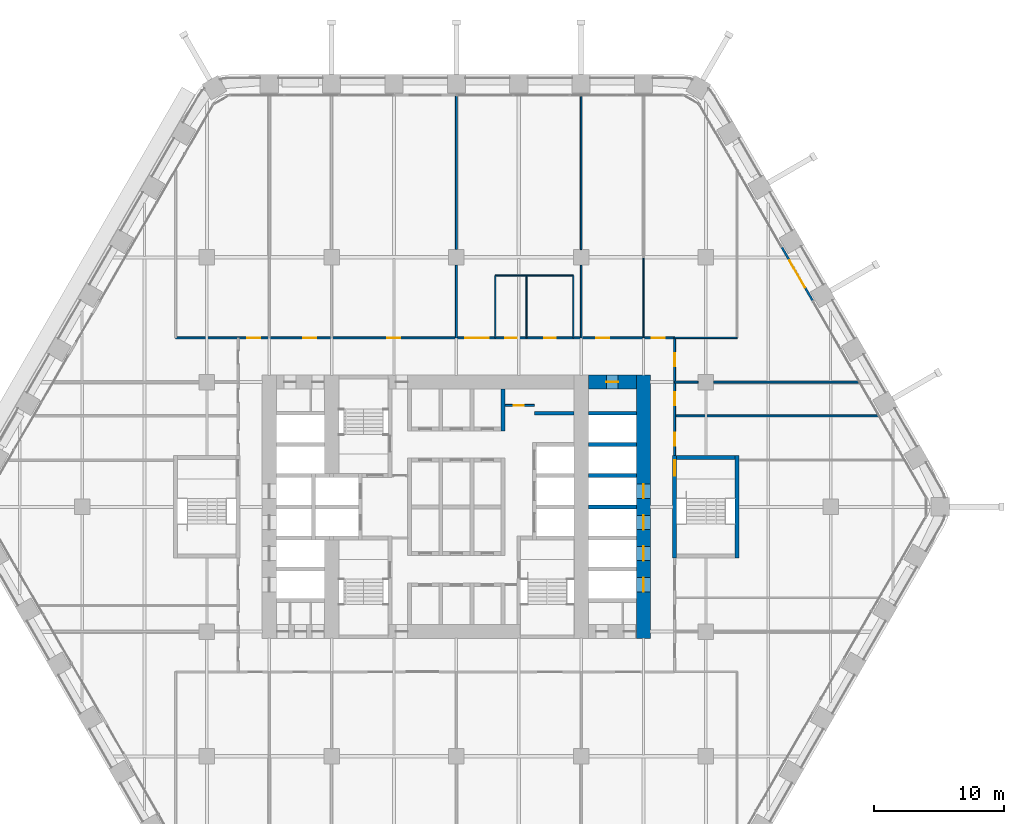
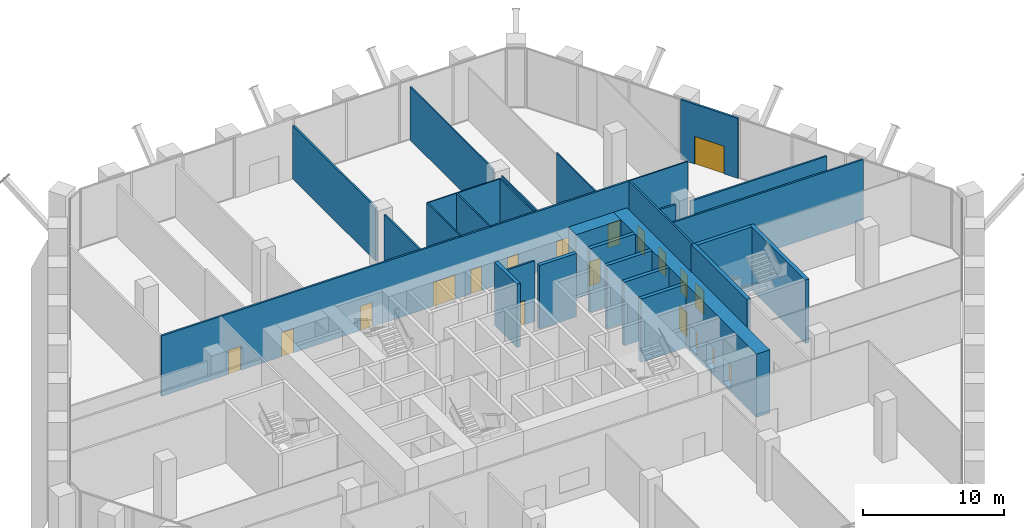
# One storey, part 21 of 29: 28 walls, 19 doors, 19 openings.
"""IFC4 building model written with IfcOpenShell, lengths in metres."""

from ifc_helpers import new_model, si_unit, direction, frame, frame_2d, origin, place, context, subcontext, project, spatial, rectangle, extrude, material, layer, layer_set, type_object, element, fill, save


model = new_model("IFC4")

# Units and contexts
model_context = context("Model", 3, precision=1e-05, world=origin(), true_north=direction((0.0, 1.0)))
body_context = subcontext(model_context, "Body", "Model", "MODEL_VIEW")
ifc_project = project(units=[si_unit("LENGTHUNIT", "METRE"), si_unit("AREAUNIT", "SQUARE_METRE"), si_unit("VOLUMEUNIT", "CUBIC_METRE"), si_unit("PLANEANGLEUNIT", "RADIAN"), si_unit("MASSUNIT", "GRAM", prefix="KILO")], contexts=[model_context])

# Site, building, storey
site_placement = place(None, origin())
site = spatial("IfcSite", under=ifc_project, at=site_placement, CompositionType="ELEMENT")
building_placement = place(site_placement, origin())
building = spatial("IfcBuilding", under=site, at=building_placement, Name="Kolab Exchange Tower", CompositionType="ELEMENT")
storey_placement = place(building_placement, frame((0.0, 0.0, 33.39990234375)))
storey = spatial("IfcBuildingStorey", under=building, at=storey_placement, Name="L06", CompositionType="ELEMENT", Elevation=33.39990234375)

# Wall, opening, door
ifc_material_1 = material(Name="Concrete C80/95", Category="concrete")
ifc_layer_1 = layer(ifc_material_1, 1.10009765625)
ifc_layer_set_1 = layer_set([ifc_layer_1], Name="Concrete C80/95")
wall_type_1 = type_object("IfcWallType", Name="CORE WALL 1100 C80/95", PredefinedType="SHEAR", material=ifc_layer_set_1)
wall_1_placement = place(storey_placement, frame((10.14990234375, 9.60009765625, -0.25), z_axis=(0.0, 0.0, 1.0), x_axis=(1.0, 0.0, 0.0)))
wall_1 = element("IfcWall", 1, at=wall_1_placement, inside=storey, type_object=wall_type_1, Name="wall/L06/core/053", PredefinedType="SHEAR", context=body_context, shape_type="SweptSolid", body=[
    extrude(rectangle(XDim=3.7001953125, YDim=1.10009765625, at=frame_2d((1.85009765625, 0.0))), origin(), (0.0, 0.0, 1.0), 5.5),
])
opening_1_placement = place(wall_1_placement, frame((1.39990234375, 0.0, 0.25)))
opening_1 = element("IfcOpeningElement", 2, at=opening_1_placement, cuts=wall_1, Name="Opening D6-114", PredefinedType="OPENING", context=body_context, shape_type="SweptSolid", body=[
    extrude(rectangle(XDim=0.89990234375, YDim=2.10009765625, at=frame_2d((0.449951171875, 1.050048828125))), frame((0.0, 0.56005859375, 0.0), z_axis=(0.0, -1.0, 0.0), x_axis=(1.0, 0.0, 0.0)), (0.0, 0.0, 1.0), 1.1201171875),
])
ifc_material_2 = material(Name="Steel S235", Category="steel")
door_type_1 = type_object("IfcDoorType", Name="CORE DOOR 900 EI 120", OperationType="SINGLE_SWING_LEFT", PredefinedType="DOOR", material=ifc_material_2)
door_1_placement = place(opening_1_placement, frame((0.89990234375, 0.0, 0.0), z_axis=(0.0, 0.0, 1.0), x_axis=(-1.0, 0.0, 0.0)))
door_1 = element("IfcDoor", 3, at=door_1_placement, inside=storey, type_object=door_type_1, Name="Service room door", OperationType="SINGLE_SWING_LEFT", OverallHeight=2.10009765625, OverallWidth=0.89990234375, PredefinedType="DOOR", context=body_context, shape_type="SweptSolid", body=[
    extrude(rectangle(XDim=0.89990234375, YDim=2.10009765625, at=frame_2d((0.449951171875, 1.050048828125))), frame((0.0, 0.02490234375, 0.0), z_axis=(0.0, -1.0, 0.0), x_axis=(1.0, 0.0, 0.0)), (0.0, 0.0, 1.0), 0.050048828125),
])
fill(opening_1, door_1)

# Wall, openings, doors
wall_2_placement = place(storey_placement, frame((14.39990234375, -10.14990234375, -0.25), z_axis=(0.0, 0.0, 1.0), x_axis=(0.0, 1.0, 0.0)))
wall_2 = element("IfcWall", 4, at=wall_2_placement, inside=storey, type_object=wall_type_1, Name="wall/L06/core/081", PredefinedType="SHEAR", context=body_context, shape_type="SweptSolid", body=[
    extrude(rectangle(XDim=20.2998046875, YDim=1.10009765625, at=frame_2d((10.14990234375, 0.0))), origin(), (0.0, 0.0, 1.0), 5.5),
])
opening_2_placement = place(wall_2_placement, frame((3.60009765625, 0.0, 0.25)))
opening_2 = element("IfcOpeningElement", 5, at=opening_2_placement, cuts=wall_2, Name="Opening LD1-037", PredefinedType="OPENING", context=body_context, shape_type="SweptSolid", body=[
    extrude(rectangle(XDim=1.10009765625, YDim=2.10009765625, at=frame_2d((0.550048828125, 1.050048828125))), frame((0.0, 0.56005859375, 0.0), z_axis=(0.0, -1.0, 0.0), x_axis=(1.0, 0.0, 0.0)), (0.0, 0.0, 1.0), 1.1201171875),
])
opening_3_placement = place(wall_2_placement, frame((6.0, 0.0, 0.25)))
opening_3 = element("IfcOpeningElement", 6, at=opening_3_placement, cuts=wall_2, Name="Opening LD1-038", PredefinedType="OPENING", context=body_context, shape_type="SweptSolid", body=[
    extrude(rectangle(XDim=1.10009765625, YDim=2.10009765625, at=frame_2d((0.550048828125, 1.050048828125))), frame((0.0, 0.56005859375, 0.0), z_axis=(0.0, -1.0, 0.0), x_axis=(1.0, 0.0, 0.0)), (0.0, 0.0, 1.0), 1.1201171875),
])
opening_4_placement = place(wall_2_placement, frame((8.39990234375, 0.0, 0.25)))
opening_4 = element("IfcOpeningElement", 7, at=opening_4_placement, cuts=wall_2, Name="Opening LD1-039", PredefinedType="OPENING", context=body_context, shape_type="SweptSolid", body=[
    extrude(rectangle(XDim=1.10009765625, YDim=2.10009765625, at=frame_2d((0.550048828125, 1.050048828125))), frame((0.0, 0.56005859375, 0.0), z_axis=(0.0, -1.0, 0.0), x_axis=(1.0, 0.0, 0.0)), (0.0, 0.0, 1.0), 1.1201171875),
])
opening_5_placement = place(wall_2_placement, frame((10.800048828125, 0.0, 0.25)))
opening_5 = element("IfcOpeningElement", 8, at=opening_5_placement, cuts=wall_2, Name="Opening LD1-040", PredefinedType="OPENING", context=body_context, shape_type="SweptSolid", body=[
    extrude(rectangle(XDim=1.10009765625, YDim=2.10009765625, at=frame_2d((0.550048828125, 1.050048828125))), frame((0.0, 0.56005859375, 0.0), z_axis=(0.0, -1.0, 0.0), x_axis=(1.0, 0.0, 0.0)), (0.0, 0.0, 1.0), 1.1201171875),
])
ifc_material_3 = material(Name="Stainless steel 316", Category="steel")
door_type_2 = type_object("IfcDoorType", Name="LANDING DOOR 1100 PASSENGER", OperationType="DOUBLE_DOOR_SLIDING", PredefinedType="DOOR", material=ifc_material_3)
door_2_placement = place(opening_2_placement, origin())
door_2 = element("IfcDoor", 9, at=door_2_placement, inside=storey, type_object=door_type_2, Name="Landing door LR1", OperationType="DOUBLE_DOOR_SLIDING", OverallHeight=2.10009765625, OverallWidth=1.10009765625, PredefinedType="DOOR", context=body_context, shape_type="SweptSolid", body=[
    extrude(rectangle(XDim=1.10009765625, YDim=2.10009765625, at=frame_2d((0.550048828125, 1.050048828125))), frame((0.0, 0.02490234375, 0.0), z_axis=(0.0, -1.0, 0.0), x_axis=(1.0, 0.0, 0.0)), (0.0, 0.0, 1.0), 0.050048828125),
])
fill(opening_2, door_2)
door_3_placement = place(opening_3_placement, origin())
door_3 = element("IfcDoor", 10, at=door_3_placement, inside=storey, type_object=door_type_2, Name="Landing door LR2", OperationType="DOUBLE_DOOR_SLIDING", OverallHeight=2.10009765625, OverallWidth=1.10009765625, PredefinedType="DOOR", context=body_context, shape_type="SweptSolid", body=[
    extrude(rectangle(XDim=1.10009765625, YDim=2.10009765625, at=frame_2d((0.550048828125, 1.050048828125))), frame((0.0, 0.02490234375, 0.0), z_axis=(0.0, -1.0, 0.0), x_axis=(1.0, 0.0, 0.0)), (0.0, 0.0, 1.0), 0.050048828125),
])
fill(opening_3, door_3)
door_4_placement = place(opening_4_placement, origin())
door_4 = element("IfcDoor", 11, at=door_4_placement, inside=storey, type_object=door_type_2, Name="Landing door LR3", OperationType="DOUBLE_DOOR_SLIDING", OverallHeight=2.10009765625, OverallWidth=1.10009765625, PredefinedType="DOOR", context=body_context, shape_type="SweptSolid", body=[
    extrude(rectangle(XDim=1.10009765625, YDim=2.10009765625, at=frame_2d((0.550048828125, 1.050048828125))), frame((0.0, 0.02490234375, 0.0), z_axis=(0.0, -1.0, 0.0), x_axis=(1.0, 0.0, 0.0)), (0.0, 0.0, 1.0), 0.050048828125),
])
fill(opening_4, door_4)
door_5_placement = place(opening_5_placement, origin())
door_5 = element("IfcDoor", 12, at=door_5_placement, inside=storey, type_object=door_type_2, Name="Landing door LR4", OperationType="DOUBLE_DOOR_SLIDING", OverallHeight=2.10009765625, OverallWidth=1.10009765625, PredefinedType="DOOR", context=body_context, shape_type="SweptSolid", body=[
    extrude(rectangle(XDim=1.10009765625, YDim=2.10009765625, at=frame_2d((0.550048828125, 1.050048828125))), frame((0.0, 0.02490234375, 0.0), z_axis=(0.0, -1.0, 0.0), x_axis=(1.0, 0.0, 0.0)), (0.0, 0.0, 1.0), 0.050048828125),
])
fill(opening_5, door_5)

# Wall, opening, door
ifc_material_4 = material(Name="Aluminium EN AW-6063 T6", Category="aluminium")
ifc_layer_2 = layer(ifc_material_4, 0.159912109375)
ifc_layer_set_2 = layer_set([ifc_layer_2], Name="Aluminium EN AW-6063 T6")
wall_type_2 = type_object("IfcWallType", Name="DOOR SURROUND WALL 160 ALUMINIUM FRAMED", PredefinedType="PARTITIONING", material=ifc_layer_set_2)
wall_3_placement = place(storey_placement, frame((25.046630859375, 19.96875, 0.0), z_axis=(0.0, 0.0, 1.0), x_axis=(0.5000167099, -0.866015756104, 0.0)))
wall_3 = element("IfcWall", 13, at=wall_3_placement, inside=storey, type_object=wall_type_2, Name="Door surround wall", PredefinedType="PARTITIONING", context=body_context, shape_type="SweptSolid", body=[
    extrude(rectangle(XDim=4.739990234375, YDim=0.159912109375, at=frame_2d((2.3701171875, 0.0))), origin(), (0.0, 0.0, 1.0), 5.2001953125),
])
opening_6_placement = place(wall_3_placement, frame((1.169921875, 0.0, 0.0)))
opening_6 = element("IfcOpeningElement", 14, at=opening_6_placement, cuts=wall_3, Name="Opening GD1-024", PredefinedType="OPENING", context=body_context, shape_type="SweptSolid", body=[
    extrude(rectangle(XDim=2.39990234375, YDim=2.39990234375, at=frame_2d((1.199951171875, 1.199951171875))), frame((0.0, 0.08984375, 0.0), z_axis=(0.0, -1.0, 0.0), x_axis=(1.0, 0.0, 0.0)), (0.0, 0.0, 1.0), 0.179931640625),
])
door_type_3 = type_object("IfcDoorType", Name="LOGGIA SLIDING GLASS DOOR 2400 X 2400", OperationType="DOUBLE_DOOR_SINGLE_SWING", PredefinedType="DOOR", material=ifc_material_4)
door_6_placement = place(opening_6_placement, origin())
door_6 = element("IfcDoor", 15, at=door_6_placement, inside=storey, type_object=door_type_3, Name="Loggia door", OperationType="DOUBLE_DOOR_SLIDING", OverallHeight=2.39990234375, OverallWidth=2.39990234375, PredefinedType="DOOR", context=body_context, shape_type="SweptSolid", body=[
    extrude(rectangle(XDim=2.39990234375, YDim=2.39990234375, at=frame_2d((1.199951171875, 1.199951171875))), frame((0.0, 0.02490234375, 0.0), z_axis=(0.0, -1.0, 0.0), x_axis=(1.0, 0.0, 0.0)), (0.0, 0.0, 1.0), 0.050048828125),
])
fill(opening_6, door_6)

# Walls
ifc_material_5 = material(Name="Concrete C50/60", Category="concrete")
ifc_layer_3 = layer(ifc_material_5, 0.300048828125)
ifc_layer_set_3 = layer_set([ifc_layer_3], Name="Concrete C50/60")
wall_type_3 = type_object("IfcWallType", Name="LIFT SHAFT WALL 300 C50/60", PredefinedType="STANDARD", material=ifc_layer_set_3)
for number, where, z_axis, x_axis, name in (
    (16, (10.14990234375, 0.0, -0.25), (0.0, 0.0, 1.0), (1.0, 0.0, 0.0), "wall/L06/core/030"),
    (17, (10.14990234375, 2.39990234375, -0.25), (0.0, 0.0, 1.0), (1.0, 0.0, 0.0), "wall/L06/core/036"),
    (18, (10.14990234375, 4.800048828125, -0.25), (0.0, 0.0, 1.0), (1.0, 0.0, 0.0), "wall/L06/core/044"),
):
    element("IfcWall", number, at=place(storey_placement, frame(where, z_axis=z_axis, x_axis=x_axis)), inside=storey, type_object=wall_type_3, Name=name, PredefinedType="STANDARD", context=body_context, shape_type="SweptSolid", body=[
        extrude(rectangle(XDim=3.7001953125, YDim=0.300048828125, at=frame_2d((1.85009765625, 0.0))), origin(), (0.0, 0.0, 1.0), 5.5),
    ])
wall_4_placement = place(storey_placement, frame((6.0, 7.199951171875, -0.25), z_axis=(0.0, 0.0, 1.0), x_axis=(1.0, 0.0, 0.0)))
element("IfcWall", 19, at=wall_4_placement, inside=storey, type_object=wall_type_3, Name="wall/L06/core/049", PredefinedType="STANDARD", context=body_context, shape_type="SweptSolid", body=[
    extrude(rectangle(XDim=3.050048828125, YDim=0.300048828125, at=frame_2d((1.52490234375, 0.0))), origin(), (0.0, 0.0, 1.0), 5.5),
])
wall_5_placement = place(storey_placement, frame((10.14990234375, 7.199951171875, -0.25), z_axis=(0.0, 0.0, 1.0), x_axis=(1.0, 0.0, 0.0)))
element("IfcWall", 20, at=wall_5_placement, inside=storey, type_object=wall_type_3, Name="wall/L06/core/050", PredefinedType="STANDARD", context=body_context, shape_type="SweptSolid", body=[
    extrude(rectangle(XDim=3.7001953125, YDim=0.300048828125, at=frame_2d((1.85009765625, 0.0))), origin(), (0.0, 0.0, 1.0), 5.5),
])
wall_6_placement = place(storey_placement, frame((3.60009765625, 5.85009765625, -0.25), z_axis=(0.0, 0.0, 1.0), x_axis=(0.0, 1.0, 0.0)))
element("IfcWall", 21, at=wall_6_placement, inside=storey, type_object=wall_type_3, Name="wall/L06/core/077", PredefinedType="STANDARD", context=body_context, shape_type="SweptSolid", body=[
    extrude(rectangle(XDim=3.199951171875, YDim=0.300048828125, at=frame_2d((1.60009765625, 0.0))), origin(), (0.0, 0.0, 1.0), 5.5),
])
ifc_material_6 = material(Name="Gypsum board", Category="gypsum")
ifc_layer_4 = layer(ifc_material_6, 0.10009765625)
ifc_layer_set_4 = layer_set([ifc_layer_4], Name="Gypsum board")
wall_type_4 = type_object("IfcWallType", Name="PARTITION 100", PredefinedType="PARTITIONING", material=ifc_layer_set_4)
wall_7_placement = place(storey_placement, frame((14.39990234375, 13.0, 0.0), z_axis=(0.0, 0.0, 1.0), x_axis=(0.0, 1.0, 0.0)))
element("IfcWall", 22, at=wall_7_placement, inside=storey, type_object=wall_type_4, Name="Partition 004", PredefinedType="PARTITIONING", context=body_context, shape_type="SweptSolid", body=[
    extrude(rectangle(XDim=6.113037109375, YDim=0.10009765625, at=frame_2d((3.056640625, 0.0))), origin(), (0.0, 0.0, 1.0), 4.793212890625),
])
wall_8_placement = place(storey_placement, frame((9.60009765625, 13.0, 0.0), z_axis=(0.0, 0.0, 1.0), x_axis=(0.0, 1.0, 0.0)))
element("IfcWall", 23, at=wall_8_placement, inside=storey, type_object=wall_type_4, Name="Partition 008", PredefinedType="PARTITIONING", context=body_context, shape_type="SweptSolid", body=[
    extrude(rectangle(XDim=5.60009765625, YDim=0.10009765625, at=frame_2d((2.800048828125, 0.0))), origin(), (0.0, 0.0, 1.0), 4.793212890625),
])
wall_9_placement = place(storey_placement, frame((9.60009765625, 19.800048828125, 0.0), z_axis=(0.0, 0.0, 1.0), x_axis=(0.0, 1.0, 0.0)))
element("IfcWall", 24, at=wall_9_placement, inside=storey, type_object=wall_type_4, Name="Partition 009", PredefinedType="PARTITIONING", context=body_context, shape_type="SweptSolid", body=[
    extrude(rectangle(XDim=11.785400390625, YDim=0.10009765625, at=frame_2d((5.892578125, 0.0))), origin(), (0.0, 0.0, 1.0), 4.64208984375),
])
for number, where, z_axis, x_axis, name in (
    (25, (9.0, 13.0, 0.0), (0.0, 0.0, 1.0), (0.0, 1.0, 0.0), "Partition 010"),
    (26, (5.39990234375, 13.0, 0.0), (0.0, 0.0, 1.0), (0.0, 1.0, 0.0), "Partition 011"),
    (27, (3.0, 13.0, 0.0), (0.0, 0.0, 1.0), (0.0, 1.0, 0.0), "Partition 012"),
    (28, (16.800048828125, 13.0, 0.0), (0.0, 0.0, 1.0), (1.0, 0.0, 0.0), "Partition 048"),
):
    element("IfcWall", number, at=place(storey_placement, frame(where, z_axis=z_axis, x_axis=x_axis)), inside=storey, type_object=wall_type_4, Name=name, PredefinedType="PARTITIONING", context=body_context, shape_type="SweptSolid", body=[
        extrude(rectangle(XDim=4.800048828125, YDim=0.10009765625, at=frame_2d((2.39990234375, 0.0))), origin(), (0.0, 0.0, 1.0), 5.25),
    ])
wall_10_placement = place(storey_placement, frame((3.0, 17.800048828125, 0.0), z_axis=(0.0, 0.0, 1.0), x_axis=(1.0, 0.0, 0.0)))
element("IfcWall", 29, at=wall_10_placement, inside=storey, type_object=wall_type_4, Name="Partition 050", PredefinedType="PARTITIONING", context=body_context, shape_type="SweptSolid", body=[
    extrude(rectangle(XDim=6.0, YDim=0.10009765625, at=frame_2d((3.0, 0.0))), origin(), (0.0, 0.0, 1.0), 5.25),
])

# Wall, openings, doors
ifc_layer_5 = layer(ifc_material_6, 0.14990234375)
ifc_layer_set_5 = layer_set([ifc_layer_5], Name="Gypsum board")
wall_type_5 = type_object("IfcWallType", Name="PARTITION 150 FIRE-RATED", PredefinedType="PARTITIONING", material=ifc_layer_set_5)
wall_11_placement = place(storey_placement, frame((16.800048828125, 3.949951171875, 0.0), z_axis=(0.0, 0.0, 1.0), x_axis=(0.0, 1.0, 0.0)))
wall_11 = element("IfcWall", 30, at=wall_11_placement, inside=storey, type_object=wall_type_5, Name="Partition 003", PredefinedType="PARTITIONING", context=body_context, shape_type="SweptSolid", body=[
    extrude(rectangle(XDim=9.050048828125, YDim=0.14990234375, at=frame_2d((4.52490234375, 0.0))), origin(), (0.0, 0.0, 1.0), 5.25),
])
opening_7_placement = place(wall_11_placement, frame((0.7548828125, 0.0, 0.0)))
opening_7 = element("IfcOpeningElement", 31, at=opening_7_placement, cuts=wall_11, Name="Opening D1-075", PredefinedType="OPENING", context=body_context, shape_type="SweptSolid", body=[
    extrude(rectangle(XDim=1.0, YDim=2.10009765625, at=frame_2d((0.5, 1.050048828125))), frame((0.0, 0.0849609375, 0.0), z_axis=(0.0, -1.0, 0.0), x_axis=(1.0, 0.0, 0.0)), (0.0, 0.0, 1.0), 0.169921875),
])
opening_8_placement = place(wall_11_placement, frame((3.85009765625, 0.0, 0.0)))
opening_8 = element("IfcOpeningElement", 32, at=opening_8_placement, cuts=wall_11, Name="Opening D1-076", PredefinedType="OPENING", context=body_context, shape_type="SweptSolid", body=[
    extrude(rectangle(XDim=1.0, YDim=2.10009765625, at=frame_2d((0.5, 1.050048828125))), frame((0.0, 0.0849609375, 0.0), z_axis=(0.0, -1.0, 0.0), x_axis=(1.0, 0.0, 0.0)), (0.0, 0.0, 1.0), 0.169921875),
])
opening_9_placement = place(wall_11_placement, frame((6.885009765625, 0.0, 0.0)))
opening_9 = element("IfcOpeningElement", 33, at=opening_9_placement, cuts=wall_11, Name="Opening D1-086", PredefinedType="OPENING", context=body_context, shape_type="SweptSolid", body=[
    extrude(rectangle(XDim=1.0, YDim=2.10009765625, at=frame_2d((0.5, 1.050048828125))), frame((0.0, 0.0849609375, 0.0), z_axis=(0.0, -1.0, 0.0), x_axis=(1.0, 0.0, 0.0)), (0.0, 0.0, 1.0), 0.169921875),
])
door_type_4 = type_object("IfcDoorType", Name="FLUSH DOOR 1000 FD60", OperationType="SINGLE_SWING_LEFT", PredefinedType="DOOR", material=ifc_material_2)
door_7_placement = place(opening_7_placement, frame((1.0, 0.0, 0.0), z_axis=(0.0, 0.0, 1.0), x_axis=(-1.0, 0.0, 0.0)))
door_7 = element("IfcDoor", 34, at=door_7_placement, inside=storey, type_object=door_type_4, Name="Door L06-063", OperationType="SINGLE_SWING_LEFT", OverallHeight=2.10009765625, OverallWidth=1.0, PredefinedType="DOOR", context=body_context, shape_type="SweptSolid", body=[
    extrude(rectangle(XDim=1.0, YDim=2.10009765625, at=frame_2d((0.5, 1.050048828125))), frame((0.0, 0.02490234375, 0.0), z_axis=(0.0, -1.0, 0.0), x_axis=(1.0, 0.0, 0.0)), (0.0, 0.0, 1.0), 0.050048828125),
])
fill(opening_7, door_7)
door_8_placement = place(opening_8_placement, frame((1.0, 0.0, 0.0), z_axis=(0.0, 0.0, 1.0), x_axis=(-1.0, 0.0, 0.0)))
door_8 = element("IfcDoor", 35, at=door_8_placement, inside=storey, type_object=door_type_4, Name="Door L06-064", OperationType="SINGLE_SWING_RIGHT", OverallHeight=2.10009765625, OverallWidth=1.0, PredefinedType="DOOR", context=body_context, shape_type="SweptSolid", body=[
    extrude(rectangle(XDim=1.0, YDim=2.10009765625, at=frame_2d((0.5, 1.050048828125))), frame((0.0, 0.02490234375, 0.0), z_axis=(0.0, -1.0, 0.0), x_axis=(1.0, 0.0, 0.0)), (0.0, 0.0, 1.0), 0.050048828125),
])
fill(opening_8, door_8)
door_9_placement = place(opening_9_placement, frame((1.0, 0.0, 0.0), z_axis=(0.0, 0.0, 1.0), x_axis=(-1.0, 0.0, 0.0)))
door_9 = element("IfcDoor", 36, at=door_9_placement, inside=storey, type_object=door_type_4, Name="Door L06-065", OperationType="SINGLE_SWING_RIGHT", OverallHeight=2.10009765625, OverallWidth=1.0, PredefinedType="DOOR", context=body_context, shape_type="SweptSolid", body=[
    extrude(rectangle(XDim=1.0, YDim=2.10009765625, at=frame_2d((0.5, 1.050048828125))), frame((0.0, 0.02490234375, 0.0), z_axis=(0.0, -1.0, 0.0), x_axis=(1.0, 0.0, 0.0)), (0.0, 0.0, 1.0), 0.050048828125),
])
fill(opening_9, door_9)

# Walls
wall_12_placement = place(storey_placement, frame((0.0, 13.0, 0.0), z_axis=(0.0, 0.0, 1.0), x_axis=(0.0, 1.0, 0.0)))
element("IfcWall", 37, at=wall_12_placement, inside=storey, type_object=wall_type_5, Name="Partition 015", PredefinedType="PARTITIONING", context=body_context, shape_type="SweptSolid", body=[
    extrude(rectangle(XDim=5.60009765625, YDim=0.14990234375, at=frame_2d((2.800048828125, 0.0))), origin(), (0.0, 0.0, 1.0), 4.793212890625),
])
wall_13_placement = place(storey_placement, frame((0.0, 19.800048828125, 0.0), z_axis=(0.0, 0.0, 1.0), x_axis=(0.0, 1.0, 0.0)))
element("IfcWall", 38, at=wall_13_placement, inside=storey, type_object=wall_type_5, Name="Partition 016", PredefinedType="PARTITIONING", context=body_context, shape_type="SweptSolid", body=[
    extrude(rectangle(XDim=11.79541015625, YDim=0.14990234375, at=frame_2d((5.897705078125, 0.0))), origin(), (0.0, 0.0, 1.0), 4.64208984375),
])
wall_14_placement = place(storey_placement, frame((16.800048828125, 7.0, 0.0), z_axis=(0.0, 0.0, 1.0), x_axis=(1.0, 0.0, 0.0)))
element("IfcWall", 39, at=wall_14_placement, inside=storey, type_object=wall_type_5, Name="Partition 042", PredefinedType="PARTITIONING", context=body_context, shape_type="SweptSolid", body=[
    extrude(rectangle(XDim=15.687744140625, YDim=0.14990234375, at=frame_2d((7.84375, 0.0))), origin(), (0.0, 0.0, 1.0), 5.25),
])

# Wall, opening, door
wall_15_placement = place(storey_placement, frame((3.75, 7.800048828125, 0.0), z_axis=(0.0, 0.0, 1.0), x_axis=(1.0, 0.0, 0.0)))
wall_15 = element("IfcWall", 40, at=wall_15_placement, inside=storey, type_object=wall_type_5, Name="Partition 043", PredefinedType="PARTITIONING", context=body_context, shape_type="SweptSolid", body=[
    extrude(rectangle(XDim=2.25, YDim=0.14990234375, at=frame_2d((1.125, 0.0))), origin(), (0.0, 0.0, 1.0), 5.25),
])
opening_10_placement = place(wall_15_placement, frame((0.64990234375, 0.0, 0.0)))
opening_10 = element("IfcOpeningElement", 41, at=opening_10_placement, cuts=wall_15, Name="Opening D7-009", PredefinedType="OPENING", context=body_context, shape_type="SweptSolid", body=[
    extrude(rectangle(XDim=0.800048828125, YDim=2.10009765625, at=frame_2d((0.39990234375, 1.050048828125))), frame((0.0, 0.0849609375, 0.0), z_axis=(0.0, -1.0, 0.0), x_axis=(1.0, 0.0, 0.0)), (0.0, 0.0, 1.0), 0.169921875),
])
door_type_5 = type_object("IfcDoorType", Name="FLUSH DOOR 800 FD60", OperationType="SINGLE_SWING_LEFT", PredefinedType="DOOR", material=ifc_material_2)
door_10_placement = place(opening_10_placement, origin())
door_10 = element("IfcDoor", 42, at=door_10_placement, inside=storey, type_object=door_type_5, Name="Door L06-041", OperationType="SINGLE_SWING_LEFT", OverallHeight=2.10009765625, OverallWidth=0.800048828125, PredefinedType="DOOR", context=body_context, shape_type="SweptSolid", body=[
    extrude(rectangle(XDim=0.800048828125, YDim=2.10009765625, at=frame_2d((0.39990234375, 1.050048828125))), frame((0.0, 0.02490234375, 0.0), z_axis=(0.0, -1.0, 0.0), x_axis=(1.0, 0.0, 0.0)), (0.0, 0.0, 1.0), 0.050048828125),
])
fill(opening_10, door_10)

# Walls
wall_16_placement = place(storey_placement, frame((16.800048828125, 9.60009765625, 0.0), z_axis=(0.0, 0.0, 1.0), x_axis=(1.0, 0.0, 0.0)))
element("IfcWall", 43, at=wall_16_placement, inside=storey, type_object=wall_type_5, Name="Partition 046", PredefinedType="PARTITIONING", context=body_context, shape_type="SweptSolid", body=[
    extrude(rectangle(XDim=1.800048828125, YDim=0.14990234375, at=frame_2d((0.89990234375, 0.0))), origin(), (0.0, 0.0, 1.0), 4.64208984375),
])
wall_17_placement = place(storey_placement, frame((19.800048828125, 9.60009765625, 0.0), z_axis=(0.0, 0.0, 1.0), x_axis=(1.0, 0.0, 0.0)))
element("IfcWall", 44, at=wall_17_placement, inside=storey, type_object=wall_type_5, Name="Partition 047", PredefinedType="PARTITIONING", context=body_context, shape_type="SweptSolid", body=[
    extrude(rectangle(XDim=11.186767578125, YDim=0.14990234375, at=frame_2d((5.59326171875, 0.0))), origin(), (0.0, 0.0, 1.0), 4.488037109375),
])

# Wall, openings, doors
wall_18_placement = place(storey_placement, frame((-21.60009765625, 13.0, 0.0), z_axis=(0.0, 0.0, 1.0), x_axis=(1.0, 0.0, 0.0)))
wall_18 = element("IfcWall", 45, at=wall_18_placement, inside=storey, type_object=wall_type_5, Name="Partition 049", PredefinedType="PARTITIONING", context=body_context, shape_type="SweptSolid", body=[
    extrude(rectangle(XDim=38.400146484375, YDim=0.14990234375, at=frame_2d((19.2001953125, 0.0))), origin(), (0.0, 0.0, 1.0), 5.25),
])
opening_11_placement = place(wall_18_placement, frame((5.5, 0.0, 0.0)))
opening_11 = element("IfcOpeningElement", 46, at=opening_11_placement, cuts=wall_18, Name="Opening D1-066", PredefinedType="OPENING", context=body_context, shape_type="SweptSolid", body=[
    extrude(rectangle(XDim=1.0, YDim=2.10009765625, at=frame_2d((0.5, 1.050048828125))), frame((0.0, 0.0849609375, 0.0), z_axis=(0.0, -1.0, 0.0), x_axis=(1.0, 0.0, 0.0)), (0.0, 0.0, 1.0), 0.169921875),
])
opening_12_placement = place(wall_18_placement, frame((9.824951171875, 0.0, 0.0)))
opening_12 = element("IfcOpeningElement", 47, at=opening_12_placement, cuts=wall_18, Name="Opening D1-067", PredefinedType="OPENING", context=body_context, shape_type="SweptSolid", body=[
    extrude(rectangle(XDim=1.0, YDim=2.10009765625, at=frame_2d((0.5, 1.050048828125))), frame((0.0, 0.0849609375, 0.0), z_axis=(0.0, -1.0, 0.0), x_axis=(1.0, 0.0, 0.0)), (0.0, 0.0, 1.0), 0.169921875),
])
opening_13_placement = place(wall_18_placement, frame((16.300048828125, 0.0, 0.0)))
opening_13 = element("IfcOpeningElement", 48, at=opening_13_placement, cuts=wall_18, Name="Opening D1-068", PredefinedType="OPENING", context=body_context, shape_type="SweptSolid", body=[
    extrude(rectangle(XDim=1.0, YDim=2.10009765625, at=frame_2d((0.5, 1.050048828125))), frame((0.0, 0.0849609375, 0.0), z_axis=(0.0, -1.0, 0.0), x_axis=(1.0, 0.0, 0.0)), (0.0, 0.0, 1.0), 0.169921875),
])
opening_14_placement = place(wall_18_placement, frame((22.27490234375, 0.0, 0.0)))
opening_14 = element("IfcOpeningElement", 49, at=opening_14_placement, cuts=wall_18, Name="Opening D2-015", PredefinedType="OPENING", context=body_context, shape_type="SweptSolid", body=[
    extrude(rectangle(XDim=1.800048828125, YDim=2.10009765625, at=frame_2d((0.89990234375, 1.050048828125))), frame((0.0, 0.0849609375, 0.0), z_axis=(0.0, -1.0, 0.0), x_axis=(1.0, 0.0, 0.0)), (0.0, 0.0, 1.0), 0.169921875),
])
opening_15_placement = place(wall_18_placement, frame((32.375, 0.0, 0.0)))
opening_15 = element("IfcOpeningElement", 50, at=opening_15_placement, cuts=wall_18, Name="Opening D1-069", PredefinedType="OPENING", context=body_context, shape_type="SweptSolid", body=[
    extrude(rectangle(XDim=1.0, YDim=2.10009765625, at=frame_2d((0.5, 1.050048828125))), frame((0.0, 0.0849609375, 0.0), z_axis=(0.0, -1.0, 0.0), x_axis=(1.0, 0.0, 0.0)), (0.0, 0.0, 1.0), 0.169921875),
])
opening_16_placement = place(wall_18_placement, frame((36.625, 0.0, 0.0)))
opening_16 = element("IfcOpeningElement", 51, at=opening_16_placement, cuts=wall_18, Name="Opening D1-070", PredefinedType="OPENING", context=body_context, shape_type="SweptSolid", body=[
    extrude(rectangle(XDim=1.0, YDim=2.10009765625, at=frame_2d((0.5, 1.050048828125))), frame((0.0, 0.0849609375, 0.0), z_axis=(0.0, -1.0, 0.0), x_axis=(1.0, 0.0, 0.0)), (0.0, 0.0, 1.0), 0.169921875),
])
opening_17_placement = place(wall_18_placement, frame((28.35009765625, 0.0, 0.0)))
opening_17 = element("IfcOpeningElement", 52, at=opening_17_placement, cuts=wall_18, Name="Opening D3-009", PredefinedType="OPENING", context=body_context, shape_type="SweptSolid", body=[
    extrude(rectangle(XDim=0.89990234375, YDim=2.10009765625, at=frame_2d((0.449951171875, 1.050048828125))), frame((0.0, 0.0849609375, 0.0), z_axis=(0.0, -1.0, 0.0), x_axis=(1.0, 0.0, 0.0)), (0.0, 0.0, 1.0), 0.169921875),
])
opening_18_placement = place(wall_18_placement, frame((25.35009765625, 0.0, 0.0)))
opening_18 = element("IfcOpeningElement", 53, at=opening_18_placement, cuts=wall_18, Name="Opening D3-010", PredefinedType="OPENING", context=body_context, shape_type="SweptSolid", body=[
    extrude(rectangle(XDim=0.89990234375, YDim=2.10009765625, at=frame_2d((0.449951171875, 1.050048828125))), frame((0.0, 0.0849609375, 0.0), z_axis=(0.0, -1.0, 0.0), x_axis=(1.0, 0.0, 0.0)), (0.0, 0.0, 1.0), 0.169921875),
])
door_type_6 = type_object("IfcDoorType", Name="DOUBLE DOOR 1800 FD60", OperationType="DOUBLE_DOOR_SINGLE_SWING", PredefinedType="DOOR", material=ifc_material_2)
door_11_placement = place(opening_14_placement, origin())
door_11 = element("IfcDoor", 54, at=door_11_placement, inside=storey, type_object=door_type_6, Name="Door L06-052", OperationType="SINGLE_SWING_RIGHT", OverallHeight=2.10009765625, OverallWidth=1.800048828125, PredefinedType="DOOR", context=body_context, shape_type="SweptSolid", body=[
    extrude(rectangle(XDim=1.800048828125, YDim=2.10009765625, at=frame_2d((0.89990234375, 1.050048828125))), frame((0.0, 0.02490234375, 0.0), z_axis=(0.0, -1.0, 0.0), x_axis=(1.0, 0.0, 0.0)), (0.0, 0.0, 1.0), 0.050048828125),
])
fill(opening_14, door_11)
door_12_placement = place(opening_11_placement, origin())
door_12 = element("IfcDoor", 55, at=door_12_placement, inside=storey, type_object=door_type_4, Name="Door L06-049", OperationType="SINGLE_SWING_RIGHT", OverallHeight=2.10009765625, OverallWidth=1.0, PredefinedType="DOOR", context=body_context, shape_type="SweptSolid", body=[
    extrude(rectangle(XDim=1.0, YDim=2.10009765625, at=frame_2d((0.5, 1.050048828125))), frame((0.0, 0.02490234375, 0.0), z_axis=(0.0, -1.0, 0.0), x_axis=(1.0, 0.0, 0.0)), (0.0, 0.0, 1.0), 0.050048828125),
])
fill(opening_11, door_12)
door_13_placement = place(opening_12_placement, origin())
door_13 = element("IfcDoor", 56, at=door_13_placement, inside=storey, type_object=door_type_4, Name="Door L06-050", OperationType="SINGLE_SWING_RIGHT", OverallHeight=2.10009765625, OverallWidth=1.0, PredefinedType="DOOR", context=body_context, shape_type="SweptSolid", body=[
    extrude(rectangle(XDim=1.0, YDim=2.10009765625, at=frame_2d((0.5, 1.050048828125))), frame((0.0, 0.02490234375, 0.0), z_axis=(0.0, -1.0, 0.0), x_axis=(1.0, 0.0, 0.0)), (0.0, 0.0, 1.0), 0.050048828125),
])
fill(opening_12, door_13)
door_14_placement = place(opening_13_placement, origin())
door_14 = element("IfcDoor", 57, at=door_14_placement, inside=storey, type_object=door_type_4, Name="Door L06-051", OperationType="SINGLE_SWING_LEFT", OverallHeight=2.10009765625, OverallWidth=1.0, PredefinedType="DOOR", context=body_context, shape_type="SweptSolid", body=[
    extrude(rectangle(XDim=1.0, YDim=2.10009765625, at=frame_2d((0.5, 1.050048828125))), frame((0.0, 0.02490234375, 0.0), z_axis=(0.0, -1.0, 0.0), x_axis=(1.0, 0.0, 0.0)), (0.0, 0.0, 1.0), 0.050048828125),
])
fill(opening_13, door_14)
door_15_placement = place(opening_15_placement, origin())
door_15 = element("IfcDoor", 58, at=door_15_placement, inside=storey, type_object=door_type_4, Name="Door L06-053", OperationType="SINGLE_SWING_LEFT", OverallHeight=2.10009765625, OverallWidth=1.0, PredefinedType="DOOR", context=body_context, shape_type="SweptSolid", body=[
    extrude(rectangle(XDim=1.0, YDim=2.10009765625, at=frame_2d((0.5, 1.050048828125))), frame((0.0, 0.02490234375, 0.0), z_axis=(0.0, -1.0, 0.0), x_axis=(1.0, 0.0, 0.0)), (0.0, 0.0, 1.0), 0.050048828125),
])
fill(opening_15, door_15)
door_16_placement = place(opening_16_placement, origin())
door_16 = element("IfcDoor", 59, at=door_16_placement, inside=storey, type_object=door_type_4, Name="Door L06-054", OperationType="SINGLE_SWING_LEFT", OverallHeight=2.10009765625, OverallWidth=1.0, PredefinedType="DOOR", context=body_context, shape_type="SweptSolid", body=[
    extrude(rectangle(XDim=1.0, YDim=2.10009765625, at=frame_2d((0.5, 1.050048828125))), frame((0.0, 0.02490234375, 0.0), z_axis=(0.0, -1.0, 0.0), x_axis=(1.0, 0.0, 0.0)), (0.0, 0.0, 1.0), 0.050048828125),
])
fill(opening_16, door_16)
door_type_7 = type_object("IfcDoorType", Name="FLUSH DOOR 900 FD60", OperationType="SINGLE_SWING_LEFT", PredefinedType="DOOR", material=ifc_material_2)
door_17_placement = place(opening_17_placement, origin())
door_17 = element("IfcDoor", 60, at=door_17_placement, inside=storey, type_object=door_type_7, Name="Door L06-072", OperationType="SINGLE_SWING_LEFT", OverallHeight=2.10009765625, OverallWidth=0.89990234375, PredefinedType="DOOR", context=body_context, shape_type="SweptSolid", body=[
    extrude(rectangle(XDim=0.89990234375, YDim=2.10009765625, at=frame_2d((0.449951171875, 1.050048828125))), frame((0.0, 0.02490234375, 0.0), z_axis=(0.0, -1.0, 0.0), x_axis=(1.0, 0.0, 0.0)), (0.0, 0.0, 1.0), 0.050048828125),
])
fill(opening_17, door_17)
door_18_placement = place(opening_18_placement, origin())
door_18 = element("IfcDoor", 61, at=door_18_placement, inside=storey, type_object=door_type_7, Name="Door L06-073", OperationType="SINGLE_SWING_LEFT", OverallHeight=2.10009765625, OverallWidth=0.89990234375, PredefinedType="DOOR", context=body_context, shape_type="SweptSolid", body=[
    extrude(rectangle(XDim=0.89990234375, YDim=2.10009765625, at=frame_2d((0.449951171875, 1.050048828125))), frame((0.0, 0.02490234375, 0.0), z_axis=(0.0, -1.0, 0.0), x_axis=(1.0, 0.0, 0.0)), (0.0, 0.0, 1.0), 0.050048828125),
])
fill(opening_18, door_18)

# Wall
ifc_layer_6 = layer(ifc_material_5, 0.300048828125)
ifc_layer_set_6 = layer_set([ifc_layer_6], Name="Concrete C50/60")
wall_type_6 = type_object("IfcWallType", Name="STAIR ENCLOSURE WALL 300 C50/60", PredefinedType="STANDARD", material=ifc_layer_set_6)
wall_19_placement = place(storey_placement, frame((16.949951171875, 3.800048828125, -0.25), z_axis=(0.0, 0.0, 1.0), x_axis=(1.0, 0.0, 0.0)))
element("IfcWall", 62, at=wall_19_placement, inside=storey, type_object=wall_type_6, Name="wall/L06/core/041", PredefinedType="STANDARD", context=body_context, shape_type="SweptSolid", body=[
    extrude(rectangle(XDim=4.5, YDim=0.300048828125, at=frame_2d((2.25, 0.0))), origin(), (0.0, 0.0, 1.0), 5.5),
])

# Wall, opening, door
wall_20_placement = place(storey_placement, frame((16.800048828125, -3.949951171875, -0.25), z_axis=(0.0, 0.0, 1.0), x_axis=(0.0, 1.0, 0.0)))
wall_20 = element("IfcWall", 63, at=wall_20_placement, inside=storey, type_object=wall_type_6, Name="wall/L06/core/082", PredefinedType="STANDARD", context=body_context, shape_type="SweptSolid", body=[
    extrude(rectangle(XDim=7.89990234375, YDim=0.300048828125, at=frame_2d((3.949951171875, 0.0))), origin(), (0.0, 0.0, 1.0), 5.5),
])
opening_19_placement = place(wall_20_placement, frame((6.35009765625, 0.0, 0.25)))
opening_19 = element("IfcOpeningElement", 64, at=opening_19_placement, cuts=wall_20, Name="Opening D4-023", PredefinedType="OPENING", context=body_context, shape_type="SweptSolid", body=[
    extrude(rectangle(XDim=1.199951171875, YDim=2.10009765625, at=frame_2d((0.60009765625, 1.050048828125))), frame((0.0, 0.16015625, 0.0), z_axis=(0.0, -1.0, 0.0), x_axis=(1.0, 0.0, 0.0)), (0.0, 0.0, 1.0), 0.320068359375),
])
door_type_8 = type_object("IfcDoorType", Name="STAIR DOOR 1200 EI 120", OperationType="SINGLE_SWING_LEFT", PredefinedType="DOOR", material=ifc_material_2)
door_19_placement = place(opening_19_placement, frame((1.199951171875, 0.0, 0.0), z_axis=(0.0, 0.0, 1.0), x_axis=(-1.0, 0.0, 0.0)))
door_19 = element("IfcDoor", 65, at=door_19_placement, inside=storey, type_object=door_type_8, Name="Stair 4 door", OperationType="SINGLE_SWING_RIGHT", OverallHeight=2.10009765625, OverallWidth=1.199951171875, PredefinedType="DOOR", context=body_context, shape_type="SweptSolid", body=[
    extrude(rectangle(XDim=1.199951171875, YDim=2.10009765625, at=frame_2d((0.60009765625, 1.050048828125))), frame((0.0, 0.02490234375, 0.0), z_axis=(0.0, -1.0, 0.0), x_axis=(1.0, 0.0, 0.0)), (0.0, 0.0, 1.0), 0.050048828125),
])
fill(opening_19, door_19)

# Wall
wall_21_placement = place(storey_placement, frame((21.60009765625, -3.949951171875, -0.25), z_axis=(0.0, 0.0, 1.0), x_axis=(0.0, 1.0, 0.0)))
element("IfcWall", 66, at=wall_21_placement, inside=storey, type_object=wall_type_6, Name="wall/L06/core/083", PredefinedType="STANDARD", context=body_context, shape_type="SweptSolid", body=[
    extrude(rectangle(XDim=7.89990234375, YDim=0.300048828125, at=frame_2d((3.949951171875, 0.0))), origin(), (0.0, 0.0, 1.0), 5.5),
])

save(model, "model.ifc")
